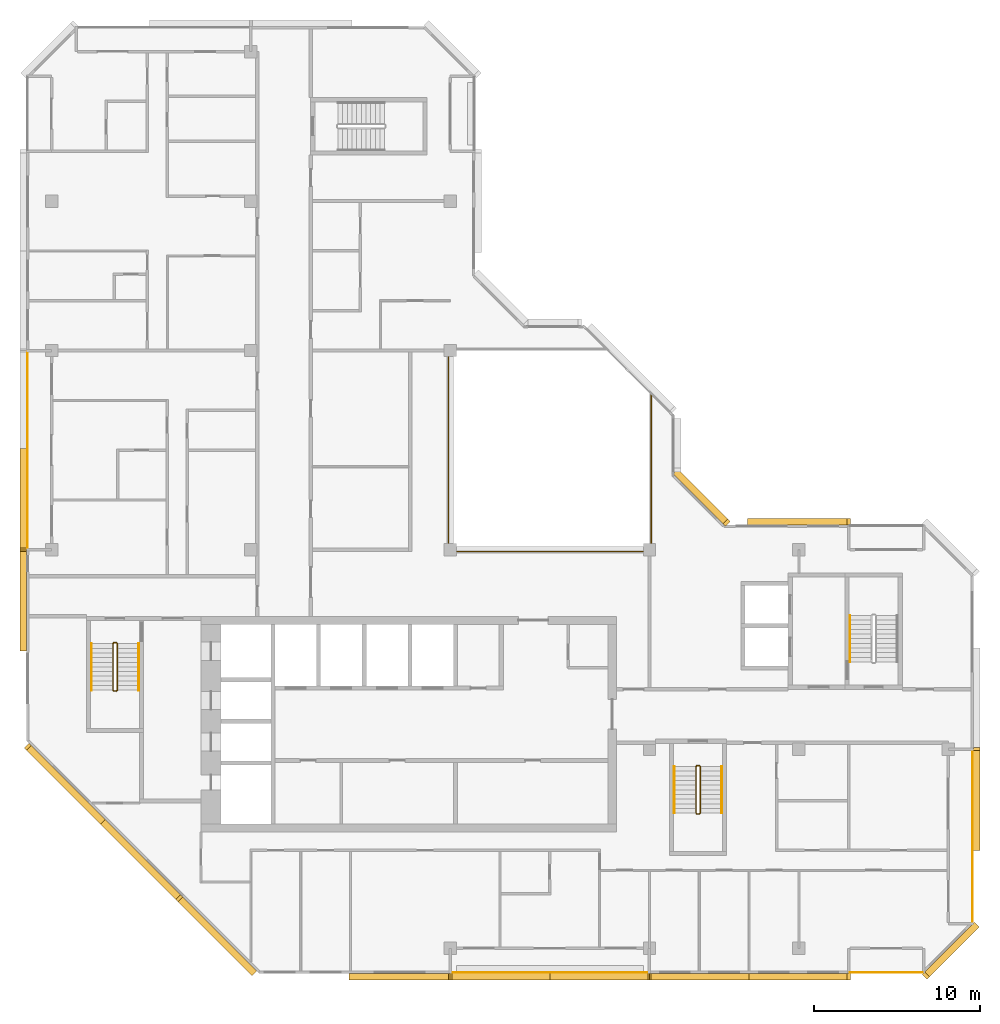
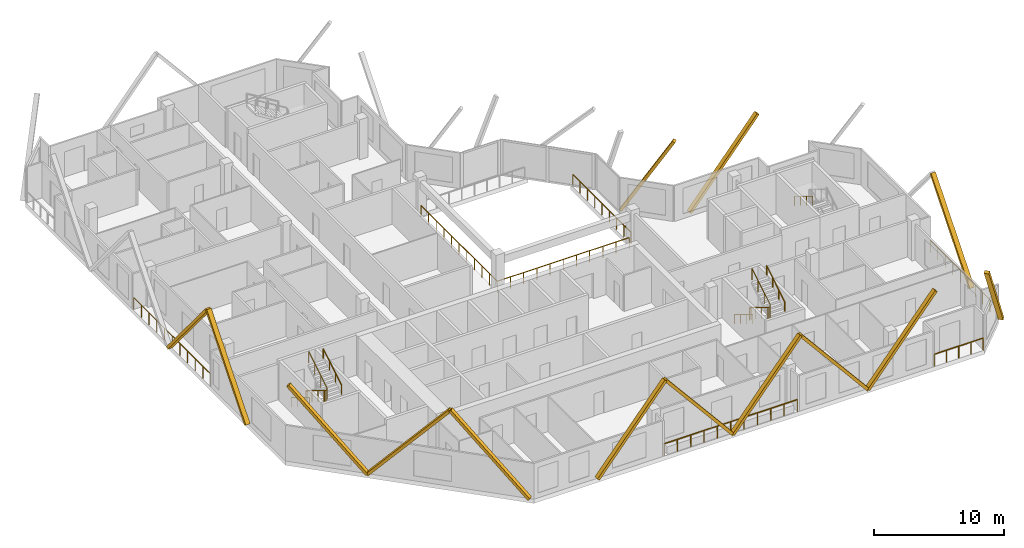
# One storey, part 11 of 12: 14 coverings, 13 railings.
"""IFC4 building model written with IfcOpenShell, lengths in metres."""

import ifcopenshell
import ifcopenshell.guid

model = None  # the IFC model being written
_history = None  # IfcOwnerHistory: only IFC2X3 demands one
_inside = {}  # id of a spatial element -> (the spatial element, [elements in it])
_under = {}  # id of a project, library or spatial element -> (it, [spatial elements below it])
_declared = {}  # id of a project -> (the project, [libraries it declares])
_typed = {}  # id of a type object -> (the type object, [elements of that type])
_made_of = {}  # id of a material, layer set ... -> (it, [elements and type objects made of it])


def new_model(schema):
    """Start an empty IFC model of exactly this schema.

    Asked for "IFC4X3", IfcOpenShell would pick the latest addendum, in which some entities
    have other attributes; the version numbers below select the first issue.
    IFC2X3 requires an IfcOwnerHistory on every rooted entity: one is made here for all.
    """
    global model, _history
    if schema == "IFC4X3":
        model = ifcopenshell.file(schema_version=(4, 3, 0, 0))
    else:
        model = ifcopenshell.file(schema=schema)
    _inside.clear()
    _under.clear()
    _declared.clear()
    _typed.clear()
    _made_of.clear()
    _history = None
    if model.schema == "IFC2X3":
        org = make("IfcOrganization", Name="unknown")
        user = make(
            "IfcPersonAndOrganization",
            ThePerson=make("IfcPerson", FamilyName="unknown"),
            TheOrganization=org,
        )
        app = make(
            "IfcApplication",
            ApplicationDeveloper=org,
            Version="unknown",
            ApplicationFullName="unknown",
            ApplicationIdentifier="unknown",
        )
        _history = make(
            "IfcOwnerHistory",
            OwningUser=user,
            OwningApplication=app,
            ChangeAction="ADDED",
            CreationDate=0,
        )
    return model


def make(cls, **values):
    """One entity of the class cls with the attributes given. An attribute that is None is left unset."""
    return model.create_entity(
        cls, **{name: value for name, value in values.items() if value is not None}
    )


def rooted(cls, **values):
    """An entity with a GlobalId (a new one), such as an element, a storey or a relation."""
    return make(cls, GlobalId=ifcopenshell.guid.new(), OwnerHistory=_history, **values)


def si_unit(unit_type, name, prefix=None):
    """IfcSIUnit, for example si_unit("LENGTHUNIT", "METRE", prefix="MILLI")."""
    return make("IfcSIUnit", UnitType=unit_type, Prefix=prefix, Name=name)


def assignment(units):
    """IfcUnitAssignment: the units of a project."""
    return None if units is None else make("IfcUnitAssignment", Units=units)


def point(xyz):
    """IfcCartesianPoint."""
    return None if xyz is None else make("IfcCartesianPoint", Coordinates=xyz)


def direction(xyz):
    """IfcDirection."""
    return None if xyz is None else make("IfcDirection", DirectionRatios=xyz)


def frame(location, z_axis=None, x_axis=None):
    """IfcAxis2Placement3D, a coordinate frame: its origin and axes. An axis left out is left unset."""
    return make(
        "IfcAxis2Placement3D",
        Location=point(location),
        Axis=direction(z_axis),
        RefDirection=direction(x_axis),
    )


def frame_2d(location, x_axis=None):
    """IfcAxis2Placement2D, a coordinate frame in the plane: its origin and x axis."""
    return make(
        "IfcAxis2Placement2D", Location=point(location), RefDirection=direction(x_axis)
    )


def origin():
    """The frame at (0, 0, 0) with its axes left unset."""
    return frame((0.0, 0.0, 0.0))


def origin_2d():
    """The frame at (0, 0) in the plane with its x axis left unset."""
    return frame_2d((0.0, 0.0))


def place(relative_to, where):
    """IfcLocalPlacement: puts the frame where relative to a parent placement (None: the world)."""
    return make(
        "IfcLocalPlacement", PlacementRelTo=relative_to, RelativePlacement=where
    )


def context(
    kind, dimensions, precision=None, world=None, true_north=None, identifier=None
):
    """IfcGeometricRepresentationContext, for example the 3D "Model" context."""
    return make(
        "IfcGeometricRepresentationContext",
        ContextIdentifier=identifier,
        ContextType=kind,
        CoordinateSpaceDimension=dimensions,
        Precision=precision,
        WorldCoordinateSystem=world,
        TrueNorth=true_north,
    )


def subcontext(parent, identifier, kind, view, scale=None):
    """IfcGeometricRepresentationSubContext, for example "Body" below "Model"."""
    return make(
        "IfcGeometricRepresentationSubContext",
        ContextIdentifier=identifier,
        ContextType=kind,
        ParentContext=parent,
        TargetScale=scale,
        TargetView=view,
    )


def project(units=None, contexts=None):
    """IfcProject with its units and contexts."""
    return rooted(
        "IfcProject",
        Name="project",
        RepresentationContexts=contexts,
        UnitsInContext=assignment(units),
    )


def spatial(cls, under=None, at=None, **own):
    """A site, building, storey or space (cls), placed at a placement, below another one or the project."""
    s = rooted(cls, ObjectPlacement=at, **own)
    if under is not None:
        _under.setdefault(under.id(), (under, []))[1].append(s)
    return s


def profile(cls, at=None, kind="AREA", **sizes):
    """A parametric profile (cls). Its sizes go by their IFC names, for example OverallWidth=200.0."""
    return make(cls, ProfileType=kind, Position=at, **sizes)


def rectangle(**sizes):
    """IfcRectangleProfileDef."""
    return profile("IfcRectangleProfileDef", **sizes)


def extrude(swept, where, along, depth):
    """IfcExtrudedAreaSolid: the profile swept, set in the frame where, extruded along a direction by depth."""
    return make(
        "IfcExtrudedAreaSolid",
        SweptArea=swept,
        Position=where,
        ExtrudedDirection=direction(along),
        Depth=depth,
    )


def shape(context_of_items, identifier, shape_type, items):
    """IfcShapeRepresentation: the items that make up one representation, for example the "Body"."""
    return make(
        "IfcShapeRepresentation",
        ContextOfItems=context_of_items,
        RepresentationIdentifier=identifier,
        RepresentationType=shape_type,
        Items=items,
    )


def material(Name=None, Category=None):
    """IfcMaterial."""
    return make("IfcMaterial", Name=Name, Category=Category)


def material_profile(
    of_material, cross_section, Name=None, Category=None, Priority=None
):
    """IfcMaterialProfile: a cross section and its material."""
    return make(
        "IfcMaterialProfile",
        Name=Name,
        Material=of_material,
        Profile=cross_section,
        Priority=Priority,
        Category=Category,
    )


def profile_set(profiles, Name=None, composite=None):
    """IfcMaterialProfileSet."""
    return make(
        "IfcMaterialProfileSet",
        Name=Name,
        MaterialProfiles=profiles,
        CompositeProfile=composite,
    )


def made_of(thing, what):
    """Note that an element or type object is made of a material, layer set ...; save() writes the relation."""
    if what is not None:
        _made_of.setdefault(what.id(), (what, []))[1].append(thing)
    return thing


def type_object(cls, material=None, **own):
    """A type object (cls), such as IfcWallType, which elements share."""
    return made_of(rooted(cls, **own), material)


def element(
    cls,
    number,
    at=None,
    inside=None,
    cuts=None,
    type_object=None,
    material=None,
    context=None,
    identifier="Body",
    shape_type=None,
    held_by="IfcProductDefinitionShape",
    body=None,
    shapes=None,
    **own,
):
    """One element of the class cls, such as IfcWall. Its Tag is "e" and its number.

    at: its placement. inside: the storey or other place that contains it. cuts: it is an
    opening in that element (IfcRelVoidsElement). A single representation is given by context,
    identifier, shape_type and body (its items); several are given by shapes. held_by: the class
    of the entity that holds the representations. save() writes the other relations.
    """
    e = rooted(cls, Tag="e%d" % number, ObjectPlacement=at, **own)
    if body is not None:
        shapes = [shape(context, identifier, shape_type, body)]
    if shapes is not None:
        e.Representation = make(held_by, Representations=shapes)
    if inside is not None:
        _inside.setdefault(inside.id(), (inside, []))[1].append(e)
    if cuts is not None:
        rooted(
            "IfcRelVoidsElement", RelatingBuildingElement=cuts, RelatedOpeningElement=e
        )
    if type_object is not None:
        _typed.setdefault(type_object.id(), (type_object, []))[1].append(e)
    return made_of(e, material)


def aggregate(whole, parts):
    """IfcRelAggregates: a whole, such as a stair, and the parts it consists of."""
    return rooted("IfcRelAggregates", RelatingObject=whole, RelatedObjects=parts)


def save(model, path):
    """Write the relations noted so far, then the file.

    IfcRelAggregates (storeys below a building ...), IfcRelContainedInSpatialStructure (elements
    in a storey), IfcRelDefinesByType, IfcRelAssociatesMaterial and IfcRelDeclares: one each for
    every whole, place, type object, material and project.
    """
    for whole, parts in _under.values():
        aggregate(whole, parts)
    for where, things in _inside.values():
        rooted(
            "IfcRelContainedInSpatialStructure",
            RelatedElements=things,
            RelatingStructure=where,
        )
    for kind, things in _typed.values():
        rooted("IfcRelDefinesByType", RelatedObjects=things, RelatingType=kind)
    for what, things in _made_of.values():
        rooted("IfcRelAssociatesMaterial", RelatedObjects=things, RelatingMaterial=what)
    for by, libraries in _declared.values():
        rooted("IfcRelDeclares", RelatingContext=by, RelatedDefinitions=libraries)
    model.write(path)


model = new_model("IFC4")

# Units and contexts
model_context = context("Model", 3, precision=1e-05, world=origin(), true_north=direction((0.0, 1.0)))
body_context = subcontext(model_context, "Body", "Model", "MODEL_VIEW")
ifc_project = project(units=[si_unit("LENGTHUNIT", "METRE"), si_unit("AREAUNIT", "SQUARE_METRE"), si_unit("VOLUMEUNIT", "CUBIC_METRE"), si_unit("PLANEANGLEUNIT", "RADIAN"), si_unit("MASSUNIT", "GRAM", prefix="KILO")], contexts=[model_context])

# Site, building, storey
site_placement = place(None, origin())
site = spatial("IfcSite", under=ifc_project, at=site_placement, CompositionType="ELEMENT")
building_placement = place(site_placement, origin())
building = spatial("IfcBuilding", under=site, at=building_placement, Name="Chenar Terraces", CompositionType="ELEMENT")
storey_placement = place(building_placement, frame((0.0, 0.0, 353.89990234375)))
storey = spatial("IfcBuildingStorey", under=building, at=storey_placement, Name="L82", CompositionType="ELEMENT", Elevation=353.89990234375)

# Railings
ifc_material_1 = material(Name="Powder-coated steel", Category="steel")
railing_type_1 = type_object("IfcRailingType", Name="Guard 1100 steel rail with glass infill", PredefinedType="GUARDRAIL", material=ifc_material_1)
railing_1_placement = place(storey_placement, frame((23.89990234375, 35.625, 0.0)))
element("IfcRailing", 1, at=railing_1_placement, inside=storey, type_object=railing_type_1, Name="Guard L82-1", PredefinedType="GUARDRAIL", context=body_context, shape_type="SweptSolid", body=[
    extrude(rectangle(XDim=0.06005859375, YDim=0.06005859375, at=origin_2d()), frame((0.0, 0.0, 1.070068359375), z_axis=(0.0, -1.0, 0.0), x_axis=(1.0, 0.0, 0.0)), (0.0, 0.0, 1.0), 11.72509765625),
    extrude(rectangle(XDim=0.06005859375, YDim=0.06005859375, at=origin_2d()), frame((0.0, -11.72509765625, 1.070068359375), z_axis=(1.0, 0.0, 0.0), x_axis=(0.0, 1.0, 0.0)), (0.0, 0.0, 1.0), 11.72509765625),
    extrude(rectangle(XDim=0.050048828125, YDim=0.050048828125, at=origin_2d()), origin(), (0.0, 0.0, 1.0), 1.0400390625),
    extrude(rectangle(XDim=0.050048828125, YDim=0.050048828125, at=origin_2d()), frame((0.0, -1.172607421875, 0.0)), (0.0, 0.0, 1.0), 1.0400390625),
    extrude(rectangle(XDim=0.050048828125, YDim=0.050048828125, at=origin_2d()), frame((0.0, -2.344970703125, 0.0)), (0.0, 0.0, 1.0), 1.0400390625),
    extrude(rectangle(XDim=0.050048828125, YDim=0.050048828125, at=origin_2d()), frame((0.0, -3.517578125, 0.0)), (0.0, 0.0, 1.0), 1.0400390625),
    extrude(rectangle(XDim=0.050048828125, YDim=0.050048828125, at=origin_2d()), frame((0.0, -4.68994140625, 0.0)), (0.0, 0.0, 1.0), 1.0400390625),
    extrude(rectangle(XDim=0.050048828125, YDim=0.050048828125, at=origin_2d()), frame((0.0, -5.862548828125, 0.0)), (0.0, 0.0, 1.0), 1.0400390625),
    extrude(rectangle(XDim=0.050048828125, YDim=0.050048828125, at=origin_2d()), frame((0.0, -7.03515625, 0.0)), (0.0, 0.0, 1.0), 1.0400390625),
    extrude(rectangle(XDim=0.050048828125, YDim=0.050048828125, at=origin_2d()), frame((0.0, -8.20751953125, 0.0)), (0.0, 0.0, 1.0), 1.0400390625),
    extrude(rectangle(XDim=0.050048828125, YDim=0.050048828125, at=origin_2d()), frame((0.0, -9.380126953125, 0.0)), (0.0, 0.0, 1.0), 1.0400390625),
    extrude(rectangle(XDim=0.050048828125, YDim=0.050048828125, at=origin_2d()), frame((0.0, -10.552490234375, 0.0)), (0.0, 0.0, 1.0), 1.0400390625),
    extrude(rectangle(XDim=0.050048828125, YDim=0.050048828125, at=origin_2d()), frame((0.0, -11.72509765625, 0.0)), (0.0, 0.0, 1.0), 1.0400390625),
    extrude(rectangle(XDim=0.050048828125, YDim=0.050048828125, at=origin_2d()), frame((1.172607421875, -11.72509765625, 0.0)), (0.0, 0.0, 1.0), 1.0400390625),
    extrude(rectangle(XDim=0.050048828125, YDim=0.050048828125, at=origin_2d()), frame((2.344970703125, -11.72509765625, 0.0)), (0.0, 0.0, 1.0), 1.0400390625),
    extrude(rectangle(XDim=0.050048828125, YDim=0.050048828125, at=origin_2d()), frame((3.517578125, -11.72509765625, 0.0)), (0.0, 0.0, 1.0), 1.0400390625),
    extrude(rectangle(XDim=0.050048828125, YDim=0.050048828125, at=origin_2d()), frame((4.68994140625, -11.72509765625, 0.0)), (0.0, 0.0, 1.0), 1.0400390625),
    extrude(rectangle(XDim=0.050048828125, YDim=0.050048828125, at=origin_2d()), frame((5.862548828125, -11.72509765625, 0.0)), (0.0, 0.0, 1.0), 1.0400390625),
    extrude(rectangle(XDim=0.050048828125, YDim=0.050048828125, at=origin_2d()), frame((7.03515625, -11.72509765625, 0.0)), (0.0, 0.0, 1.0), 1.0400390625),
    extrude(rectangle(XDim=0.050048828125, YDim=0.050048828125, at=origin_2d()), frame((8.20751953125, -11.72509765625, 0.0)), (0.0, 0.0, 1.0), 1.0400390625),
    extrude(rectangle(XDim=0.050048828125, YDim=0.050048828125, at=origin_2d()), frame((9.380126953125, -11.72509765625, 0.0)), (0.0, 0.0, 1.0), 1.0400390625),
    extrude(rectangle(XDim=0.050048828125, YDim=0.050048828125, at=origin_2d()), frame((10.552490234375, -11.72509765625, 0.0)), (0.0, 0.0, 1.0), 1.0400390625),
    extrude(rectangle(XDim=0.050048828125, YDim=0.050048828125, at=origin_2d()), frame((11.72509765625, -11.72509765625, 0.0)), (0.0, 0.0, 1.0), 1.0400390625),
])
railing_2_placement = place(storey_placement, frame((36.10009765625, 24.425048828125, 0.0)))
element("IfcRailing", 2, at=railing_2_placement, inside=storey, type_object=railing_type_1, Name="Guard L82-3", PredefinedType="GUARDRAIL", context=body_context, shape_type="SweptSolid", body=[
    extrude(rectangle(XDim=0.06005859375, YDim=0.06005859375, at=origin_2d()), frame((0.0, 0.0, 1.070068359375), z_axis=(0.0, 1.0, 0.0), x_axis=(-1.0, 0.0, 0.0)), (0.0, 0.0, 1.0), 8.974853515625),
    extrude(rectangle(XDim=0.050048828125, YDim=0.050048828125, at=origin_2d()), origin(), (0.0, 0.0, 1.0), 1.0400390625),
    extrude(rectangle(XDim=0.050048828125, YDim=0.050048828125, at=origin_2d()), frame((0.0, 1.121826171875, 0.0)), (0.0, 0.0, 1.0), 1.0400390625),
    extrude(rectangle(XDim=0.050048828125, YDim=0.050048828125, at=origin_2d()), frame((0.0, 2.24365234375, 0.0)), (0.0, 0.0, 1.0), 1.0400390625),
    extrude(rectangle(XDim=0.050048828125, YDim=0.050048828125, at=origin_2d()), frame((0.0, 3.365478515625, 0.0)), (0.0, 0.0, 1.0), 1.0400390625),
    extrude(rectangle(XDim=0.050048828125, YDim=0.050048828125, at=origin_2d()), frame((0.0, 4.4873046875, 0.0)), (0.0, 0.0, 1.0), 1.0400390625),
    extrude(rectangle(XDim=0.050048828125, YDim=0.050048828125, at=origin_2d()), frame((0.0, 5.609375, 0.0)), (0.0, 0.0, 1.0), 1.0400390625),
    extrude(rectangle(XDim=0.050048828125, YDim=0.050048828125, at=origin_2d()), frame((0.0, 6.731201171875, 0.0)), (0.0, 0.0, 1.0), 1.0400390625),
    extrude(rectangle(XDim=0.050048828125, YDim=0.050048828125, at=origin_2d()), frame((0.0, 7.85302734375, 0.0)), (0.0, 0.0, 1.0), 1.0400390625),
    extrude(rectangle(XDim=0.050048828125, YDim=0.050048828125, at=origin_2d()), frame((0.0, 8.974853515625, 0.0)), (0.0, 0.0, 1.0), 1.0400390625),
])
ifc_material_2 = material(Name="Stainless steel and glass", Category="steel")
railing_type_2 = type_object("IfcRailingType", Name="Loggia guard 1150", PredefinedType="GUARDRAIL", material=ifc_material_2)
railing_3_placement = place(storey_placement, frame((55.449951171875, 1.574951171875, 0.0)))
element("IfcRailing", 3, at=railing_3_placement, inside=storey, type_object=railing_type_2, Name="Loggia guard", PredefinedType="GUARDRAIL", context=body_context, shape_type="SweptSolid", body=[
    extrude(rectangle(XDim=0.048095703125, YDim=0.048095703125, at=origin_2d()), frame((0.0, 0.0, 1.1259765625), z_axis=(0.0, 1.0, 0.0), x_axis=(-1.0, 0.0, 0.0)), (0.0, 0.0, 1.0), 10.35009765625),
    extrude(rectangle(XDim=0.0419921875, YDim=0.0419921875, at=origin_2d()), origin(), (0.0, 0.0, 1.0), 1.101806640625),
    extrude(rectangle(XDim=0.0419921875, YDim=0.0419921875, at=origin_2d()), frame((0.0, 1.14990234375, 0.0)), (0.0, 0.0, 1.0), 1.101806640625),
    extrude(rectangle(XDim=0.0419921875, YDim=0.0419921875, at=origin_2d()), frame((0.0, 2.300048828125, 0.0)), (0.0, 0.0, 1.0), 1.101806640625),
    extrude(rectangle(XDim=0.0419921875, YDim=0.0419921875, at=origin_2d()), frame((0.0, 3.449951171875, 0.0)), (0.0, 0.0, 1.0), 1.101806640625),
    extrude(rectangle(XDim=0.0419921875, YDim=0.0419921875, at=origin_2d()), frame((0.0, 4.60009765625, 0.0)), (0.0, 0.0, 1.0), 1.101806640625),
    extrude(rectangle(XDim=0.0419921875, YDim=0.0419921875, at=origin_2d()), frame((0.0, 5.75, 0.0)), (0.0, 0.0, 1.0), 1.101806640625),
    extrude(rectangle(XDim=0.0419921875, YDim=0.0419921875, at=origin_2d()), frame((0.0, 6.900146484375, 0.0)), (0.0, 0.0, 1.0), 1.101806640625),
    extrude(rectangle(XDim=0.0419921875, YDim=0.0419921875, at=origin_2d()), frame((0.0, 8.050048828125, 0.0)), (0.0, 0.0, 1.0), 1.101806640625),
    extrude(rectangle(XDim=0.0419921875, YDim=0.0419921875, at=origin_2d()), frame((0.0, 9.2001953125, 0.0)), (0.0, 0.0, 1.0), 1.101806640625),
    extrude(rectangle(XDim=0.0419921875, YDim=0.0419921875, at=origin_2d()), frame((0.0, 10.35009765625, 0.0)), (0.0, 0.0, 1.0), 1.101806640625),
])
railing_4_placement = place(storey_placement, frame((24.074951171875, -1.449951171875, 0.0)))
element("IfcRailing", 4, at=railing_4_placement, inside=storey, type_object=railing_type_2, Name="Loggia guard", PredefinedType="GUARDRAIL", context=body_context, shape_type="SweptSolid", body=[
    extrude(rectangle(XDim=0.048095703125, YDim=0.048095703125, at=origin_2d()), frame((0.0, 0.0, 1.1259765625), z_axis=(1.0, 0.0, 0.0), x_axis=(0.0, 1.0, 0.0)), (0.0, 0.0, 1.0), 11.85009765625),
    extrude(rectangle(XDim=0.0419921875, YDim=0.0419921875, at=origin_2d()), origin(), (0.0, 0.0, 1.0), 1.101806640625),
    extrude(rectangle(XDim=0.0419921875, YDim=0.0419921875, at=origin_2d()), frame((1.18505859375, 0.0, 0.0)), (0.0, 0.0, 1.0), 1.101806640625),
    extrude(rectangle(XDim=0.0419921875, YDim=0.0419921875, at=origin_2d()), frame((2.3701171875, 0.0, 0.0)), (0.0, 0.0, 1.0), 1.101806640625),
    extrude(rectangle(XDim=0.0419921875, YDim=0.0419921875, at=origin_2d()), frame((3.554931640625, 0.0, 0.0)), (0.0, 0.0, 1.0), 1.101806640625),
    extrude(rectangle(XDim=0.0419921875, YDim=0.0419921875, at=origin_2d()), frame((4.739990234375, 0.0, 0.0)), (0.0, 0.0, 1.0), 1.101806640625),
    extrude(rectangle(XDim=0.0419921875, YDim=0.0419921875, at=origin_2d()), frame((5.925048828125, 0.0, 0.0)), (0.0, 0.0, 1.0), 1.101806640625),
    extrude(rectangle(XDim=0.0419921875, YDim=0.0419921875, at=origin_2d()), frame((7.110107421875, 0.0, 0.0)), (0.0, 0.0, 1.0), 1.101806640625),
    extrude(rectangle(XDim=0.0419921875, YDim=0.0419921875, at=origin_2d()), frame((8.295166015625, 0.0, 0.0)), (0.0, 0.0, 1.0), 1.101806640625),
    extrude(rectangle(XDim=0.0419921875, YDim=0.0419921875, at=origin_2d()), frame((9.47998046875, 0.0, 0.0)), (0.0, 0.0, 1.0), 1.101806640625),
    extrude(rectangle(XDim=0.0419921875, YDim=0.0419921875, at=origin_2d()), frame((10.6650390625, 0.0, 0.0)), (0.0, 0.0, 1.0), 1.101806640625),
    extrude(rectangle(XDim=0.0419921875, YDim=0.0419921875, at=origin_2d()), frame((11.85009765625, 0.0, 0.0)), (0.0, 0.0, 1.0), 1.101806640625),
])
railing_5_placement = place(storey_placement, frame((48.074951171875, -1.449951171875, 0.0)))
element("IfcRailing", 5, at=railing_5_placement, inside=storey, type_object=railing_type_2, Name="Loggia guard", PredefinedType="GUARDRAIL", context=body_context, shape_type="SweptSolid", body=[
    extrude(rectangle(XDim=0.048095703125, YDim=0.048095703125, at=origin_2d()), frame((0.0, 0.0, 1.1259765625), z_axis=(1.0, 0.0, 0.0), x_axis=(0.0, 1.0, 0.0)), (0.0, 0.0, 1.0), 4.35009765625),
    extrude(rectangle(XDim=0.0419921875, YDim=0.0419921875, at=origin_2d()), origin(), (0.0, 0.0, 1.0), 1.101806640625),
    extrude(rectangle(XDim=0.0419921875, YDim=0.0419921875, at=origin_2d()), frame((1.08740234375, 0.0, 0.0)), (0.0, 0.0, 1.0), 1.101806640625),
    extrude(rectangle(XDim=0.0419921875, YDim=0.0419921875, at=origin_2d()), frame((2.175048828125, 0.0, 0.0)), (0.0, 0.0, 1.0), 1.101806640625),
    extrude(rectangle(XDim=0.0419921875, YDim=0.0419921875, at=origin_2d()), frame((3.2626953125, 0.0, 0.0)), (0.0, 0.0, 1.0), 1.101806640625),
    extrude(rectangle(XDim=0.0419921875, YDim=0.0419921875, at=origin_2d()), frame((4.35009765625, 0.0, 0.0)), (0.0, 0.0, 1.0), 1.101806640625),
])
railing_6_placement = place(storey_placement, frame((-1.449951171875, 35.925048828125, 0.0)))
element("IfcRailing", 6, at=railing_6_placement, inside=storey, type_object=railing_type_2, Name="Loggia guard", PredefinedType="GUARDRAIL", context=body_context, shape_type="SweptSolid", body=[
    extrude(rectangle(XDim=0.048095703125, YDim=0.048095703125, at=origin_2d()), frame((0.0, 0.0, 1.1259765625), z_axis=(0.0, -1.0, 0.0), x_axis=(1.0, 0.0, 0.0)), (0.0, 0.0, 1.0), 11.85009765625),
    extrude(rectangle(XDim=0.0419921875, YDim=0.0419921875, at=origin_2d()), origin(), (0.0, 0.0, 1.0), 1.101806640625),
    extrude(rectangle(XDim=0.0419921875, YDim=0.0419921875, at=origin_2d()), frame((0.0, -1.18505859375, 0.0)), (0.0, 0.0, 1.0), 1.101806640625),
    extrude(rectangle(XDim=0.0419921875, YDim=0.0419921875, at=origin_2d()), frame((0.0, -2.3701171875, 0.0)), (0.0, 0.0, 1.0), 1.101806640625),
    extrude(rectangle(XDim=0.0419921875, YDim=0.0419921875, at=origin_2d()), frame((0.0, -3.554931640625, 0.0)), (0.0, 0.0, 1.0), 1.101806640625),
    extrude(rectangle(XDim=0.0419921875, YDim=0.0419921875, at=origin_2d()), frame((0.0, -4.739990234375, 0.0)), (0.0, 0.0, 1.0), 1.101806640625),
    extrude(rectangle(XDim=0.0419921875, YDim=0.0419921875, at=origin_2d()), frame((0.0, -5.925048828125, 0.0)), (0.0, 0.0, 1.0), 1.101806640625),
    extrude(rectangle(XDim=0.0419921875, YDim=0.0419921875, at=origin_2d()), frame((0.0, -7.110107421875, 0.0)), (0.0, 0.0, 1.0), 1.101806640625),
    extrude(rectangle(XDim=0.0419921875, YDim=0.0419921875, at=origin_2d()), frame((0.0, -8.295166015625, 0.0)), (0.0, 0.0, 1.0), 1.101806640625),
    extrude(rectangle(XDim=0.0419921875, YDim=0.0419921875, at=origin_2d()), frame((0.0, -9.47998046875, 0.0)), (0.0, 0.0, 1.0), 1.101806640625),
    extrude(rectangle(XDim=0.0419921875, YDim=0.0419921875, at=origin_2d()), frame((0.0, -10.6650390625, 0.0)), (0.0, 0.0, 1.0), 1.101806640625),
    extrude(rectangle(XDim=0.0419921875, YDim=0.0419921875, at=origin_2d()), frame((0.0, -11.85009765625, 0.0)), (0.0, 0.0, 1.0), 1.101806640625),
])
ifc_material_3 = material(Name="Powder-coated steel", Category="steel")
railing_type_3 = type_object("IfcRailingType", Name="Stair guard 1100", PredefinedType="GUARDRAIL", material=ifc_material_3)
railing_7_placement = place(storey_placement, frame((3.949951171875, 18.35009765625, 3.75)))
element("IfcRailing", 7, at=railing_7_placement, inside=storey, type_object=railing_type_3, Name="L82 ST1 stair guard 1", PredefinedType="GUARDRAIL", context=body_context, shape_type="SweptSolid", body=[
    extrude(rectangle(XDim=0.048095703125, YDim=0.048095703125, at=origin_2d()), frame((0.0, 0.0, 1.076171875), z_axis=(0.0, -0.854202870247, -0.519939858505), x_axis=(1.0, 0.0, 0.0)), (0.0, 0.0, 1.0), 3.278076171875),
    extrude(rectangle(XDim=0.048095703125, YDim=0.048095703125, at=origin_2d()), frame((0.0, -2.800048828125, -0.62841796875), z_axis=(-0.270899902878, -0.270899902878, -0.923702595667), x_axis=(0.707106781187, -0.707106781187, 0.0)), (0.0, 0.0, 1.0), 0.184814453125),
    extrude(rectangle(XDim=0.048095703125, YDim=0.048095703125, at=origin_2d()), frame((-0.050048828125, -2.85009765625, -0.798828125), z_axis=(-1.0, 0.0, 0.0), x_axis=(0.0, -1.0, 0.0)), (0.0, 0.0, 1.0), 0.14990234375),
    extrude(rectangle(XDim=0.048095703125, YDim=0.048095703125, at=origin_2d()), frame((-0.199951171875, -2.85009765625, -0.798828125), z_axis=(-0.707106781187, 0.707106781187, 0.0), x_axis=(-0.707106781187, -0.707106781187, 0.0)), (0.0, 0.0, 1.0), 0.07080078125),
    extrude(rectangle(XDim=0.048095703125, YDim=0.048095703125, at=origin_2d()), frame((-0.25, -2.800048828125, -0.798828125), z_axis=(0.0, 0.854202870247, -0.519939858505), x_axis=(-1.0, 0.0, 0.0)), (0.0, 0.0, 1.0), 3.278076171875),
    extrude(rectangle(XDim=0.048095703125, YDim=0.048095703125, at=origin_2d()), frame((-0.25, 0.0, -2.50341796875), z_axis=(0.270996696079, 0.269674760976, -0.924032636873), x_axis=(-0.705375805398, 0.708833529934, 0.0)), (0.0, 0.0, 1.0), 0.1845703125),
    extrude(rectangle(XDim=0.048095703125, YDim=0.048095703125, at=origin_2d()), frame((-0.199951171875, 0.0498046875, -2.673828125), z_axis=(1.0, 0.0, 0.0), x_axis=(0.0, 1.0, 0.0)), (0.0, 0.0, 1.0), 0.14990234375),
    extrude(rectangle(XDim=0.0419921875, YDim=0.0419921875, at=origin_2d()), origin(), (0.0, 0.0, 1.0), 1.052001953125),
    extrude(rectangle(XDim=0.0419921875, YDim=0.0419921875, at=origin_2d()), frame((0.0, -0.933349609375, -0.568115234375)), (0.0, 0.0, 1.0), 1.052001953125),
    extrude(rectangle(XDim=0.0419921875, YDim=0.0419921875, at=origin_2d()), frame((0.0, -1.86669921875, -1.13623046875)), (0.0, 0.0, 1.0), 1.052001953125),
    extrude(rectangle(XDim=0.0419921875, YDim=0.0419921875, at=origin_2d()), frame((0.0, -2.800048828125, -1.704345703125)), (0.0, 0.0, 1.0), 1.052001953125),
    extrude(rectangle(XDim=0.0419921875, YDim=0.0419921875, at=origin_2d()), frame((-0.050048828125, -2.85009765625, -1.875)), (0.0, 0.0, 1.0), 1.052001953125),
    extrude(rectangle(XDim=0.0419921875, YDim=0.0419921875, at=origin_2d()), frame((-0.199951171875, -2.85009765625, -1.875)), (0.0, 0.0, 1.0), 1.052001953125),
    extrude(rectangle(XDim=0.0419921875, YDim=0.0419921875, at=origin_2d()), frame((-0.25, -2.800048828125, -1.875)), (0.0, 0.0, 1.0), 1.052001953125),
    extrude(rectangle(XDim=0.0419921875, YDim=0.0419921875, at=origin_2d()), frame((-0.25, -1.86669921875, -2.443115234375)), (0.0, 0.0, 1.0), 1.052001953125),
    extrude(rectangle(XDim=0.0419921875, YDim=0.0419921875, at=origin_2d()), frame((-0.25, -0.933349609375, -3.01123046875)), (0.0, 0.0, 1.0), 1.052001953125),
    extrude(rectangle(XDim=0.0419921875, YDim=0.0419921875, at=origin_2d()), frame((-0.25, 0.0, -3.579345703125)), (0.0, 0.0, 1.0), 1.052001953125),
    extrude(rectangle(XDim=0.0419921875, YDim=0.0419921875, at=origin_2d()), frame((-0.199951171875, 0.0498046875, -3.75)), (0.0, 0.0, 1.0), 1.052001953125),
    extrude(rectangle(XDim=0.0419921875, YDim=0.0419921875, at=origin_2d()), frame((-0.050048828125, 0.0498046875, -3.75)), (0.0, 0.0, 1.0), 1.052001953125),
])
railing_8_placement = place(storey_placement, frame((39.050048828125, 10.949951171875, 3.75)))
element("IfcRailing", 8, at=railing_8_placement, inside=storey, type_object=railing_type_3, Name="L82 ST2 stair guard 1", PredefinedType="GUARDRAIL", context=body_context, shape_type="SweptSolid", body=[
    extrude(rectangle(XDim=0.048095703125, YDim=0.048095703125, at=origin_2d()), frame((0.0, 0.0, 1.076171875), z_axis=(0.0, -0.854202870247, -0.519939858505), x_axis=(1.0, 0.0, 0.0)), (0.0, 0.0, 1.0), 3.278076171875),
    extrude(rectangle(XDim=0.048095703125, YDim=0.048095703125, at=origin_2d()), frame((0.0, -2.800048828125, -0.62841796875), z_axis=(-0.270996696079, -0.269674760976, -0.924032636873), x_axis=(0.705375805398, -0.708833529934, 0.0)), (0.0, 0.0, 1.0), 0.1845703125),
    extrude(rectangle(XDim=0.048095703125, YDim=0.048095703125, at=origin_2d()), frame((-0.050048828125, -2.849853515625, -0.798828125), z_axis=(-1.0, 0.0, 0.0), x_axis=(0.0, -1.0, 0.0)), (0.0, 0.0, 1.0), 0.14990234375),
    extrude(rectangle(XDim=0.048095703125, YDim=0.048095703125, at=origin_2d()), frame((-0.199951171875, -2.849853515625, -0.798828125), z_axis=(-0.708833529934, 0.705375805398, 0.0), x_axis=(-0.705375805398, -0.708833529934, 0.0)), (0.0, 0.0, 1.0), 0.070556640625),
    extrude(rectangle(XDim=0.048095703125, YDim=0.048095703125, at=origin_2d()), frame((-0.25, -2.800048828125, -0.798828125), z_axis=(0.0, 0.854202870247, -0.519939858505), x_axis=(-1.0, 0.0, 0.0)), (0.0, 0.0, 1.0), 3.278076171875),
    extrude(rectangle(XDim=0.048095703125, YDim=0.048095703125, at=origin_2d()), frame((-0.25, 0.0, -2.50341796875), z_axis=(0.270899902878, 0.270899902878, -0.923702595667), x_axis=(-0.707106781187, 0.707106781187, 0.0)), (0.0, 0.0, 1.0), 0.184814453125),
    extrude(rectangle(XDim=0.048095703125, YDim=0.048095703125, at=origin_2d()), frame((-0.199951171875, 0.050048828125, -2.673828125), z_axis=(1.0, 0.0, 0.0), x_axis=(0.0, 1.0, 0.0)), (0.0, 0.0, 1.0), 0.14990234375),
    extrude(rectangle(XDim=0.0419921875, YDim=0.0419921875, at=origin_2d()), origin(), (0.0, 0.0, 1.0), 1.052001953125),
    extrude(rectangle(XDim=0.0419921875, YDim=0.0419921875, at=origin_2d()), frame((0.0, -0.933349609375, -0.568115234375)), (0.0, 0.0, 1.0), 1.052001953125),
    extrude(rectangle(XDim=0.0419921875, YDim=0.0419921875, at=origin_2d()), frame((0.0, -1.86669921875, -1.13623046875)), (0.0, 0.0, 1.0), 1.052001953125),
    extrude(rectangle(XDim=0.0419921875, YDim=0.0419921875, at=origin_2d()), frame((0.0, -2.800048828125, -1.704345703125)), (0.0, 0.0, 1.0), 1.052001953125),
    extrude(rectangle(XDim=0.0419921875, YDim=0.0419921875, at=origin_2d()), frame((-0.050048828125, -2.849853515625, -1.875)), (0.0, 0.0, 1.0), 1.052001953125),
    extrude(rectangle(XDim=0.0419921875, YDim=0.0419921875, at=origin_2d()), frame((-0.199951171875, -2.849853515625, -1.875)), (0.0, 0.0, 1.0), 1.052001953125),
    extrude(rectangle(XDim=0.0419921875, YDim=0.0419921875, at=origin_2d()), frame((-0.25, -2.800048828125, -1.875)), (0.0, 0.0, 1.0), 1.052001953125),
    extrude(rectangle(XDim=0.0419921875, YDim=0.0419921875, at=origin_2d()), frame((-0.25, -1.86669921875, -2.443115234375)), (0.0, 0.0, 1.0), 1.052001953125),
    extrude(rectangle(XDim=0.0419921875, YDim=0.0419921875, at=origin_2d()), frame((-0.25, -0.933349609375, -3.01123046875)), (0.0, 0.0, 1.0), 1.052001953125),
    extrude(rectangle(XDim=0.0419921875, YDim=0.0419921875, at=origin_2d()), frame((-0.25, 0.0, -3.579345703125)), (0.0, 0.0, 1.0), 1.052001953125),
    extrude(rectangle(XDim=0.0419921875, YDim=0.0419921875, at=origin_2d()), frame((-0.199951171875, 0.050048828125, -3.75)), (0.0, 0.0, 1.0), 1.052001953125),
    extrude(rectangle(XDim=0.0419921875, YDim=0.0419921875, at=origin_2d()), frame((-0.050048828125, 0.050048828125, -3.75)), (0.0, 0.0, 1.0), 1.052001953125),
])
ifc_material_4 = material(Name="Powder-coated steel", Category="steel")
railing_type_4 = type_object("IfcRailingType", Name="Stair handrail 900", PredefinedType="HANDRAIL", material=ifc_material_4)
railing_9_placement = place(storey_placement, frame((2.39990234375, 18.35009765625, 0.170654296875)))
element("IfcRailing", 9, at=railing_9_placement, inside=storey, type_object=railing_type_4, Name="L82 ST1 stair handrail 1", PredefinedType="HANDRAIL", context=body_context, shape_type="SweptSolid", body=[
    extrude(rectangle(XDim=0.048095703125, YDim=0.048095703125, at=origin_2d()), frame((0.0, 0.0, 0.8759765625), z_axis=(0.0, -0.854202870247, 0.519939858505), x_axis=(1.0, 0.0, 0.0)), (0.0, 0.0, 1.0), 3.278076171875),
    extrude(rectangle(XDim=0.0419921875, YDim=0.0419921875, at=origin_2d()), origin(), (0.0, 0.0, 1.0), 0.851806640625),
    extrude(rectangle(XDim=0.0419921875, YDim=0.0419921875, at=origin_2d()), frame((0.0, -0.933349609375, 0.568115234375)), (0.0, 0.0, 1.0), 0.851806640625),
    extrude(rectangle(XDim=0.0419921875, YDim=0.0419921875, at=origin_2d()), frame((0.0, -1.86669921875, 1.13623046875)), (0.0, 0.0, 1.0), 0.851806640625),
    extrude(rectangle(XDim=0.0419921875, YDim=0.0419921875, at=origin_2d()), frame((0.0, -2.800048828125, 1.704345703125)), (0.0, 0.0, 1.0), 0.851806640625),
])
railing_10_placement = place(storey_placement, frame((5.25, 15.550048828125, 2.045654296875)))
element("IfcRailing", 10, at=railing_10_placement, inside=storey, type_object=railing_type_4, Name="L82 ST1 stair handrail 2", PredefinedType="HANDRAIL", context=body_context, shape_type="SweptSolid", body=[
    extrude(rectangle(XDim=0.048095703125, YDim=0.048095703125, at=origin_2d()), frame((0.0, 0.0, 0.8759765625), z_axis=(0.0, 0.854202870247, 0.519939858505), x_axis=(-1.0, 0.0, 0.0)), (0.0, 0.0, 1.0), 3.278076171875),
    extrude(rectangle(XDim=0.0419921875, YDim=0.0419921875, at=origin_2d()), origin(), (0.0, 0.0, 1.0), 0.851806640625),
    extrude(rectangle(XDim=0.0419921875, YDim=0.0419921875, at=origin_2d()), frame((0.0, 0.933349609375, 0.568115234375)), (0.0, 0.0, 1.0), 0.851806640625),
    extrude(rectangle(XDim=0.0419921875, YDim=0.0419921875, at=origin_2d()), frame((0.0, 1.86669921875, 1.13623046875)), (0.0, 0.0, 1.0), 0.851806640625),
    extrude(rectangle(XDim=0.0419921875, YDim=0.0419921875, at=origin_2d()), frame((0.0, 2.800048828125, 1.704345703125)), (0.0, 0.0, 1.0), 0.851806640625),
])
railing_11_placement = place(storey_placement, frame((37.5, 10.949951171875, 0.170654296875)))
element("IfcRailing", 11, at=railing_11_placement, inside=storey, type_object=railing_type_4, Name="L82 ST2 stair handrail 1", PredefinedType="HANDRAIL", context=body_context, shape_type="SweptSolid", body=[
    extrude(rectangle(XDim=0.048095703125, YDim=0.048095703125, at=origin_2d()), frame((0.0, 0.0, 0.8759765625), z_axis=(0.0, -0.854202870247, 0.519939858505), x_axis=(1.0, 0.0, 0.0)), (0.0, 0.0, 1.0), 3.278076171875),
    extrude(rectangle(XDim=0.0419921875, YDim=0.0419921875, at=origin_2d()), origin(), (0.0, 0.0, 1.0), 0.851806640625),
    extrude(rectangle(XDim=0.0419921875, YDim=0.0419921875, at=origin_2d()), frame((0.0, -0.933349609375, 0.568115234375)), (0.0, 0.0, 1.0), 0.851806640625),
    extrude(rectangle(XDim=0.0419921875, YDim=0.0419921875, at=origin_2d()), frame((0.0, -1.86669921875, 1.13623046875)), (0.0, 0.0, 1.0), 0.851806640625),
    extrude(rectangle(XDim=0.0419921875, YDim=0.0419921875, at=origin_2d()), frame((0.0, -2.800048828125, 1.704345703125)), (0.0, 0.0, 1.0), 0.851806640625),
])
railing_12_placement = place(storey_placement, frame((40.35009765625, 8.14990234375, 2.045654296875)))
element("IfcRailing", 12, at=railing_12_placement, inside=storey, type_object=railing_type_4, Name="L82 ST2 stair handrail 2", PredefinedType="HANDRAIL", context=body_context, shape_type="SweptSolid", body=[
    extrude(rectangle(XDim=0.048095703125, YDim=0.048095703125, at=origin_2d()), frame((0.0, 0.0, 0.8759765625), z_axis=(0.0, 0.854202870247, 0.519939858505), x_axis=(-1.0, 0.0, 0.0)), (0.0, 0.0, 1.0), 3.278076171875),
    extrude(rectangle(XDim=0.0419921875, YDim=0.0419921875, at=origin_2d()), origin(), (0.0, 0.0, 1.0), 0.851806640625),
    extrude(rectangle(XDim=0.0419921875, YDim=0.0419921875, at=origin_2d()), frame((0.0, 0.933349609375, 0.568115234375)), (0.0, 0.0, 1.0), 0.851806640625),
    extrude(rectangle(XDim=0.0419921875, YDim=0.0419921875, at=origin_2d()), frame((0.0, 1.86669921875, 1.13623046875)), (0.0, 0.0, 1.0), 0.851806640625),
    extrude(rectangle(XDim=0.0419921875, YDim=0.0419921875, at=origin_2d()), frame((0.0, 2.800048828125, 1.704345703125)), (0.0, 0.0, 1.0), 0.851806640625),
])
railing_13_placement = place(storey_placement, frame((48.074951171875, 20.050048828125, 2.045654296875)))
element("IfcRailing", 13, at=railing_13_placement, inside=storey, type_object=railing_type_4, Name="L82 ST3 stair handrail 2", PredefinedType="HANDRAIL", context=body_context, shape_type="SweptSolid", body=[
    extrude(rectangle(XDim=0.048095703125, YDim=0.048095703125, at=origin_2d()), frame((0.0, 0.0, 0.8759765625), z_axis=(0.0, -0.854202870247, 0.519939858505), x_axis=(1.0, 0.0, 0.0)), (0.0, 0.0, 1.0), 3.278076171875),
    extrude(rectangle(XDim=0.0419921875, YDim=0.0419921875, at=origin_2d()), origin(), (0.0, 0.0, 1.0), 0.851806640625),
    extrude(rectangle(XDim=0.0419921875, YDim=0.0419921875, at=origin_2d()), frame((0.0, -0.933349609375, 0.568115234375)), (0.0, 0.0, 1.0), 0.851806640625),
    extrude(rectangle(XDim=0.0419921875, YDim=0.0419921875, at=origin_2d()), frame((0.0, -1.86669921875, 1.13623046875)), (0.0, 0.0, 1.0), 0.851806640625),
    extrude(rectangle(XDim=0.0419921875, YDim=0.0419921875, at=origin_2d()), frame((0.0, -2.800048828125, 1.704345703125)), (0.0, 0.0, 1.0), 0.851806640625),
])

# Coverings
ifc_material_5 = material(Name="Terracotta", Category="masonry")
ifc_material_profile = material_profile(ifc_material_5, rectangle(XDim=0.39990234375, YDim=0.25, at=origin_2d()), Name="Terracotta baguette 400 x 250")
ifc_profile_set = profile_set([ifc_material_profile], Name="Terracotta")
covering_type = type_object("IfcCoveringType", Name="Terracotta baguette 400 x 250", PredefinedType="CLADDING", material=ifc_profile_set)
covering_1_placement = place(storey_placement, frame((48.0, 25.699951171875, 7.35009765625), z_axis=(-0.640186961885, 0.0, -0.768219144407), x_axis=(0.0, -1.0, 0.0)))
element("IfcCovering", 14, at=covering_1_placement, inside=storey, type_object=covering_type, Name="Terracotta baguette", PredefinedType="CLADDING", context=body_context, shape_type="SweptSolid", body=[
    extrude(rectangle(XDim=0.39990234375, YDim=0.25, at=origin_2d()), origin(), (0.0, 0.0, 1.0), 9.372314453125),
])
covering_2_placement = place(storey_placement, frame((40.641357421875, 25.641357421875, 7.35009765625), z_axis=(-0.358980886355, 0.358980886355, -0.861548284464), x_axis=(-0.707106781187, -0.707106781187, 0.0)))
element("IfcCovering", 15, at=covering_2_placement, inside=storey, type_object=covering_type, Name="Terracotta baguette", PredefinedType="CLADDING", context=body_context, shape_type="SweptSolid", body=[
    extrude(rectangle(XDim=0.39990234375, YDim=0.25, at=origin_2d()), origin(), (0.0, 0.0, 1.0), 8.35693359375),
])
for number, where, z_axis, x_axis, name in (
    (16, (-1.699951171875, 30.0, 0.150146484375), (0.0, -0.640186961885, 0.768219144407), (1.0, 0.0, 0.0), "Terracotta baguette"),
    (17, (-1.699951171875, 24.0, 7.35009765625), (0.0, -0.640186961885, -0.768219144407), (1.0, 0.0, 0.0), "Terracotta baguette"),
):
    element("IfcCovering", number, at=place(storey_placement, frame(where, z_axis=z_axis, x_axis=x_axis)), inside=storey, type_object=covering_type, Name=name, PredefinedType="CLADDING", context=body_context, shape_type="SweptSolid", body=[
        extrude(rectangle(XDim=0.39990234375, YDim=0.25, at=origin_2d()), origin(), (0.0, 0.0, 1.0), 9.372314453125),
    ])
covering_3_placement = place(storey_placement, frame((-1.42919921875, 12.146484375, 7.35009765625), z_axis=(0.465604048687, -0.46562956823, -0.752596821038), x_axis=(0.707126158488, 0.707087403354, 0.0)))
element("IfcCovering", 18, at=covering_3_placement, inside=storey, type_object=covering_type, Name="Terracotta baguette", PredefinedType="CLADDING", context=body_context, shape_type="SweptSolid", body=[
    extrude(rectangle(XDim=0.39990234375, YDim=0.25, at=origin_2d()), origin(), (0.0, 0.0, 1.0), 9.56689453125),
])
covering_4_placement = place(storey_placement, frame((3.025146484375, 7.69189453125, 0.150146484375), z_axis=(0.477802509271, -0.477802509271, 0.73716315987), x_axis=(0.707106781187, 0.707106781187, 0.0)))
element("IfcCovering", 19, at=covering_4_placement, inside=storey, type_object=covering_type, Name="Terracotta baguette", PredefinedType="CLADDING", context=body_context, shape_type="SweptSolid", body=[
    extrude(rectangle(XDim=0.39990234375, YDim=0.25, at=origin_2d()), origin(), (0.0, 0.0, 1.0), 9.76708984375),
])
covering_5_placement = place(storey_placement, frame((7.69189453125, 3.025146484375, 7.35009765625), z_axis=(0.46562956823, -0.465604048687, -0.752596821038), x_axis=(0.707087403354, 0.707126158488, 0.0)))
element("IfcCovering", 20, at=covering_5_placement, inside=storey, type_object=covering_type, Name="Terracotta baguette", PredefinedType="CLADDING", context=body_context, shape_type="SweptSolid", body=[
    extrude(rectangle(XDim=0.39990234375, YDim=0.25, at=origin_2d()), origin(), (0.0, 0.0, 1.0), 9.56689453125),
])
for number, where, z_axis, x_axis, name in (
    (21, (18.0, -1.699951171875, 0.150146484375), (0.640186961885, 0.0, 0.768219144407), (0.0, 1.0, 0.0), "Terracotta baguette"),
    (22, (24.0, -1.699951171875, 7.35009765625), (0.640186961885, 0.0, -0.768219144407), (0.0, 1.0, 0.0), "Terracotta baguette"),
    (23, (30.0, -1.699951171875, 0.150146484375), (0.640186961885, 0.0, 0.768219144407), (0.0, 1.0, 0.0), "Terracotta baguette"),
    (24, (36.0, -1.699951171875, 7.35009765625), (0.640186961885, 0.0, -0.768219144407), (0.0, 1.0, 0.0), "Terracotta baguette"),
    (25, (42.0, -1.699951171875, 0.150146484375), (0.640186961885, 0.0, 0.768219144407), (0.0, 1.0, 0.0), "Terracotta baguette"),
):
    element("IfcCovering", number, at=place(storey_placement, frame(where, z_axis=z_axis, x_axis=x_axis)), inside=storey, type_object=covering_type, Name=name, PredefinedType="CLADDING", context=body_context, shape_type="SweptSolid", body=[
        extrude(rectangle(XDim=0.39990234375, YDim=0.25, at=origin_2d()), origin(), (0.0, 0.0, 1.0), 9.372314453125),
    ])
covering_6_placement = place(storey_placement, frame((52.641357421875, -1.641357421875, 7.35009765625), z_axis=(0.358980886355, 0.358980886355, -0.861548284464), x_axis=(-0.707106781187, 0.707106781187, 0.0)))
element("IfcCovering", 26, at=covering_6_placement, inside=storey, type_object=covering_type, Name="Terracotta baguette", PredefinedType="CLADDING", context=body_context, shape_type="SweptSolid", body=[
    extrude(rectangle(XDim=0.39990234375, YDim=0.25, at=origin_2d()), origin(), (0.0, 0.0, 1.0), 8.35693359375),
])
covering_7_placement = place(storey_placement, frame((55.699951171875, 6.0, 0.150146484375), z_axis=(0.0, 0.640186961885, 0.768219144407), x_axis=(-1.0, 0.0, 0.0)))
element("IfcCovering", 27, at=covering_7_placement, inside=storey, type_object=covering_type, Name="Terracotta baguette", PredefinedType="CLADDING", context=body_context, shape_type="SweptSolid", body=[
    extrude(rectangle(XDim=0.39990234375, YDim=0.25, at=origin_2d()), origin(), (0.0, 0.0, 1.0), 9.372314453125),
])

save(model, "model.ifc")
